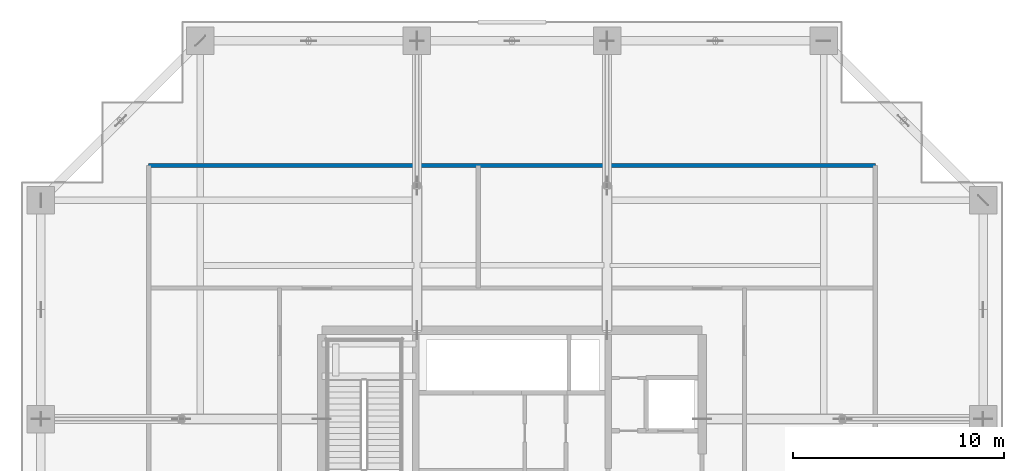
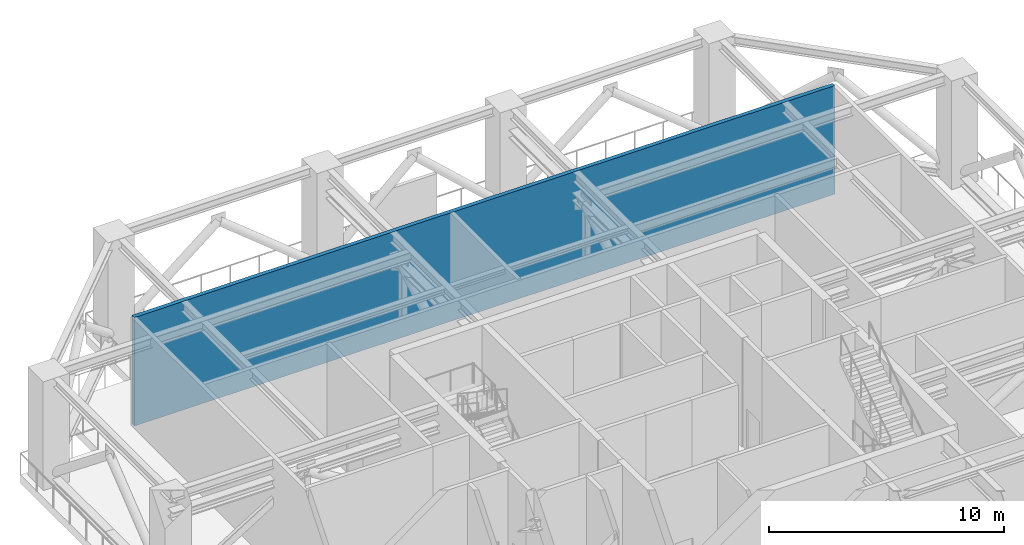
# One storey, part 17 of 22: 1 wall.
"""IFC4 building model written with IfcOpenShell, lengths in metres."""

import ifcopenshell
import ifcopenshell.guid

model = None  # the IFC model being written
_history = None  # IfcOwnerHistory: only IFC2X3 demands one
_inside = {}  # id of a spatial element -> (the spatial element, [elements in it])
_under = {}  # id of a project, library or spatial element -> (it, [spatial elements below it])
_declared = {}  # id of a project -> (the project, [libraries it declares])
_typed = {}  # id of a type object -> (the type object, [elements of that type])
_made_of = {}  # id of a material, layer set ... -> (it, [elements and type objects made of it])


def new_model(schema):
    """Start an empty IFC model of exactly this schema.

    Asked for "IFC4X3", IfcOpenShell would pick the latest addendum, in which some entities
    have other attributes; the version numbers below select the first issue.
    IFC2X3 requires an IfcOwnerHistory on every rooted entity: one is made here for all.
    """
    global model, _history
    if schema == "IFC4X3":
        model = ifcopenshell.file(schema_version=(4, 3, 0, 0))
    else:
        model = ifcopenshell.file(schema=schema)
    _inside.clear()
    _under.clear()
    _declared.clear()
    _typed.clear()
    _made_of.clear()
    _history = None
    if model.schema == "IFC2X3":
        org = make("IfcOrganization", Name="unknown")
        user = make(
            "IfcPersonAndOrganization",
            ThePerson=make("IfcPerson", FamilyName="unknown"),
            TheOrganization=org,
        )
        app = make(
            "IfcApplication",
            ApplicationDeveloper=org,
            Version="unknown",
            ApplicationFullName="unknown",
            ApplicationIdentifier="unknown",
        )
        _history = make(
            "IfcOwnerHistory",
            OwningUser=user,
            OwningApplication=app,
            ChangeAction="ADDED",
            CreationDate=0,
        )
    return model


def make(cls, **values):
    """One entity of the class cls with the attributes given. An attribute that is None is left unset."""
    return model.create_entity(
        cls, **{name: value for name, value in values.items() if value is not None}
    )


def rooted(cls, **values):
    """An entity with a GlobalId (a new one), such as an element, a storey or a relation."""
    return make(cls, GlobalId=ifcopenshell.guid.new(), OwnerHistory=_history, **values)


def si_unit(unit_type, name, prefix=None):
    """IfcSIUnit, for example si_unit("LENGTHUNIT", "METRE", prefix="MILLI")."""
    return make("IfcSIUnit", UnitType=unit_type, Prefix=prefix, Name=name)


def assignment(units):
    """IfcUnitAssignment: the units of a project."""
    return None if units is None else make("IfcUnitAssignment", Units=units)


def point(xyz):
    """IfcCartesianPoint."""
    return None if xyz is None else make("IfcCartesianPoint", Coordinates=xyz)


def direction(xyz):
    """IfcDirection."""
    return None if xyz is None else make("IfcDirection", DirectionRatios=xyz)


def frame(location, z_axis=None, x_axis=None):
    """IfcAxis2Placement3D, a coordinate frame: its origin and axes. An axis left out is left unset."""
    return make(
        "IfcAxis2Placement3D",
        Location=point(location),
        Axis=direction(z_axis),
        RefDirection=direction(x_axis),
    )


def frame_2d(location, x_axis=None):
    """IfcAxis2Placement2D, a coordinate frame in the plane: its origin and x axis."""
    return make(
        "IfcAxis2Placement2D", Location=point(location), RefDirection=direction(x_axis)
    )


def origin():
    """The frame at (0, 0, 0) with its axes left unset."""
    return frame((0.0, 0.0, 0.0))


def place(relative_to, where):
    """IfcLocalPlacement: puts the frame where relative to a parent placement (None: the world)."""
    return make(
        "IfcLocalPlacement", PlacementRelTo=relative_to, RelativePlacement=where
    )


def context(
    kind, dimensions, precision=None, world=None, true_north=None, identifier=None
):
    """IfcGeometricRepresentationContext, for example the 3D "Model" context."""
    return make(
        "IfcGeometricRepresentationContext",
        ContextIdentifier=identifier,
        ContextType=kind,
        CoordinateSpaceDimension=dimensions,
        Precision=precision,
        WorldCoordinateSystem=world,
        TrueNorth=true_north,
    )


def subcontext(parent, identifier, kind, view, scale=None):
    """IfcGeometricRepresentationSubContext, for example "Body" below "Model"."""
    return make(
        "IfcGeometricRepresentationSubContext",
        ContextIdentifier=identifier,
        ContextType=kind,
        ParentContext=parent,
        TargetScale=scale,
        TargetView=view,
    )


def project(units=None, contexts=None):
    """IfcProject with its units and contexts."""
    return rooted(
        "IfcProject",
        Name="project",
        RepresentationContexts=contexts,
        UnitsInContext=assignment(units),
    )


def spatial(cls, under=None, at=None, **own):
    """A site, building, storey or space (cls), placed at a placement, below another one or the project."""
    s = rooted(cls, ObjectPlacement=at, **own)
    if under is not None:
        _under.setdefault(under.id(), (under, []))[1].append(s)
    return s


def profile(cls, at=None, kind="AREA", **sizes):
    """A parametric profile (cls). Its sizes go by their IFC names, for example OverallWidth=200.0."""
    return make(cls, ProfileType=kind, Position=at, **sizes)


def rectangle(**sizes):
    """IfcRectangleProfileDef."""
    return profile("IfcRectangleProfileDef", **sizes)


def extrude(swept, where, along, depth):
    """IfcExtrudedAreaSolid: the profile swept, set in the frame where, extruded along a direction by depth."""
    return make(
        "IfcExtrudedAreaSolid",
        SweptArea=swept,
        Position=where,
        ExtrudedDirection=direction(along),
        Depth=depth,
    )


def shape(context_of_items, identifier, shape_type, items):
    """IfcShapeRepresentation: the items that make up one representation, for example the "Body"."""
    return make(
        "IfcShapeRepresentation",
        ContextOfItems=context_of_items,
        RepresentationIdentifier=identifier,
        RepresentationType=shape_type,
        Items=items,
    )


def material(Name=None, Category=None):
    """IfcMaterial."""
    return make("IfcMaterial", Name=Name, Category=Category)


def layer(
    of_material, thickness, ventilated=None, Name=None, Category=None, Priority=None
):
    """IfcMaterialLayer: one layer of a wall or slab, of a material (None: an air gap)."""
    return make(
        "IfcMaterialLayer",
        Material=of_material,
        LayerThickness=thickness,
        IsVentilated=ventilated,
        Name=Name,
        Category=Category,
        Priority=Priority,
    )


def layer_set(layers, Name=None):
    """IfcMaterialLayerSet."""
    return make("IfcMaterialLayerSet", MaterialLayers=layers, LayerSetName=Name)


def made_of(thing, what):
    """Note that an element or type object is made of a material, layer set ...; save() writes the relation."""
    if what is not None:
        _made_of.setdefault(what.id(), (what, []))[1].append(thing)
    return thing


def type_object(cls, material=None, **own):
    """A type object (cls), such as IfcWallType, which elements share."""
    return made_of(rooted(cls, **own), material)


def element(
    cls,
    number,
    at=None,
    inside=None,
    cuts=None,
    type_object=None,
    material=None,
    context=None,
    identifier="Body",
    shape_type=None,
    held_by="IfcProductDefinitionShape",
    body=None,
    shapes=None,
    **own,
):
    """One element of the class cls, such as IfcWall. Its Tag is "e" and its number.

    at: its placement. inside: the storey or other place that contains it. cuts: it is an
    opening in that element (IfcRelVoidsElement). A single representation is given by context,
    identifier, shape_type and body (its items); several are given by shapes. held_by: the class
    of the entity that holds the representations. save() writes the other relations.
    """
    e = rooted(cls, Tag="e%d" % number, ObjectPlacement=at, **own)
    if body is not None:
        shapes = [shape(context, identifier, shape_type, body)]
    if shapes is not None:
        e.Representation = make(held_by, Representations=shapes)
    if inside is not None:
        _inside.setdefault(inside.id(), (inside, []))[1].append(e)
    if cuts is not None:
        rooted(
            "IfcRelVoidsElement", RelatingBuildingElement=cuts, RelatedOpeningElement=e
        )
    if type_object is not None:
        _typed.setdefault(type_object.id(), (type_object, []))[1].append(e)
    return made_of(e, material)


def aggregate(whole, parts):
    """IfcRelAggregates: a whole, such as a stair, and the parts it consists of."""
    return rooted("IfcRelAggregates", RelatingObject=whole, RelatedObjects=parts)


def save(model, path):
    """Write the relations noted so far, then the file.

    IfcRelAggregates (storeys below a building ...), IfcRelContainedInSpatialStructure (elements
    in a storey), IfcRelDefinesByType, IfcRelAssociatesMaterial and IfcRelDeclares: one each for
    every whole, place, type object, material and project.
    """
    for whole, parts in _under.values():
        aggregate(whole, parts)
    for where, things in _inside.values():
        rooted(
            "IfcRelContainedInSpatialStructure",
            RelatedElements=things,
            RelatingStructure=where,
        )
    for kind, things in _typed.values():
        rooted("IfcRelDefinesByType", RelatedObjects=things, RelatingType=kind)
    for what, things in _made_of.values():
        rooted("IfcRelAssociatesMaterial", RelatedObjects=things, RelatingMaterial=what)
    for by, libraries in _declared.values():
        rooted("IfcRelDeclares", RelatingContext=by, RelatedDefinitions=libraries)
    model.write(path)


model = new_model("IFC4")

# Units and contexts
model_context = context("Model", 3, precision=1e-05, world=origin(), true_north=direction((0.0, 1.0)))
body_context = subcontext(model_context, "Body", "Model", "MODEL_VIEW")
ifc_project = project(units=[si_unit("LENGTHUNIT", "METRE"), si_unit("AREAUNIT", "SQUARE_METRE"), si_unit("VOLUMEUNIT", "CUBIC_METRE"), si_unit("PLANEANGLEUNIT", "RADIAN"), si_unit("MASSUNIT", "GRAM", prefix="KILO")], contexts=[model_context])

# Site, building, storey
site_placement = place(None, origin())
site = spatial("IfcSite", under=ifc_project, at=site_placement, CompositionType="ELEMENT")
building_placement = place(site_placement, origin())
building = spatial("IfcBuilding", under=site, at=building_placement, Name="Serunith Strait Residences", CompositionType="ELEMENT")
storey_placement = place(building_placement, frame((0.0, 0.0, 198.89990234375)))
storey = spatial("IfcBuildingStorey", under=building, at=storey_placement, Name="L50", CompositionType="ELEMENT", Elevation=198.89990234375)

# Wall
ifc_material = material(Name="Acoustic concrete block plant wall", Category="concrete")
ifc_layer = layer(ifc_material, 0.199951171875, Name="Acoustic concrete block plant wall")
ifc_layer_set = layer_set([ifc_layer], Name="Acoustic concrete block plant wall")
wall_type = type_object("IfcWallType", Name="IW-PLANT-200", PredefinedType="STANDARD", material=ifc_layer_set)
wall_placement = place(storey_placement, frame((15.199951171875, 41.39990234375, 0.0), z_axis=(0.0, 0.0, 1.0), x_axis=(1.0, 0.0, 0.0)))
element("IfcWall", 1, at=wall_placement, inside=storey, type_object=wall_type, Name="L50 Partition Wall 019", PredefinedType="STANDARD", context=body_context, shape_type="SweptSolid", body=[
    extrude(rectangle(XDim=34.400146484375, YDim=0.199951171875, at=frame_2d((17.2001953125, 0.0))), origin(), (0.0, 0.0, 1.0), 5.64013671875),
])

save(model, "model.ifc")
